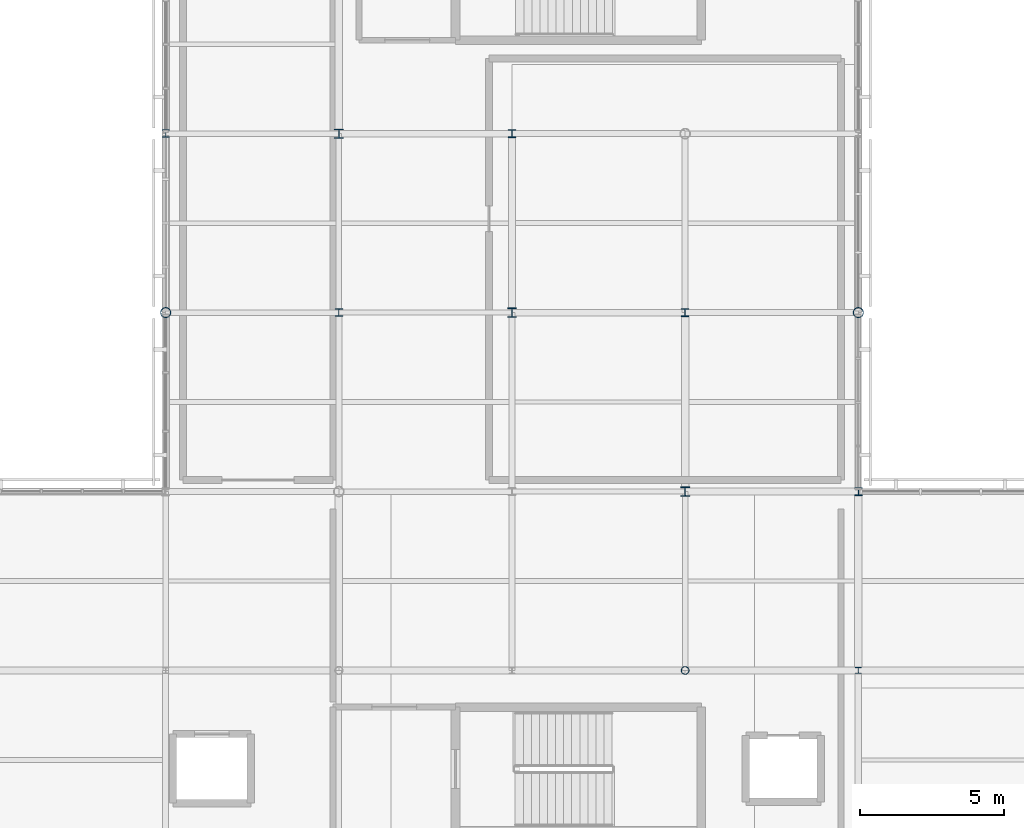
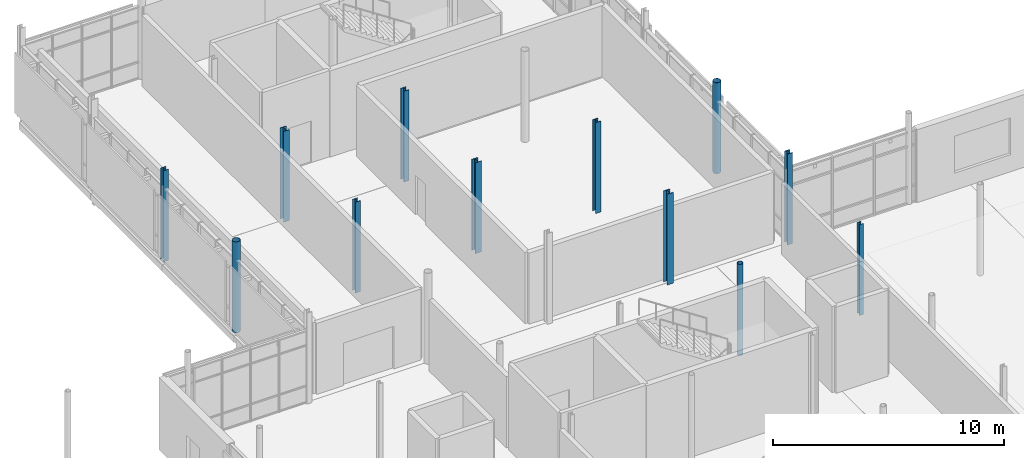
# One storey, part 13 of 66: 12 columns.
"""IFC4 building model written with IfcOpenShell, lengths in metres."""

from ifc_helpers import new_model, si_unit, direction, frame, origin, origin_2d, place, context, subcontext, project, spatial, hollow_circle, i_section, extrude, material, material_profile, profile_set, type_object, element, save


model = new_model("IFC4")

# Units and contexts
model_context = context("Model", 3, precision=1e-05, world=origin(), true_north=direction((0.0, 1.0)))
body_context = subcontext(model_context, "Body", "Model", "MODEL_VIEW")
ifc_project = project(units=[si_unit("LENGTHUNIT", "METRE"), si_unit("AREAUNIT", "SQUARE_METRE"), si_unit("VOLUMEUNIT", "CUBIC_METRE"), si_unit("PLANEANGLEUNIT", "RADIAN"), si_unit("MASSUNIT", "GRAM", prefix="KILO")], contexts=[model_context])

# Site, building, storey
site_placement = place(None, origin())
site = spatial("IfcSite", under=ifc_project, at=site_placement, CompositionType="ELEMENT")
building_placement = place(site_placement, origin())
building = spatial("IfcBuilding", under=site, at=building_placement, Name="Mirzam Square Science Centre", CompositionType="ELEMENT")
storey_placement = place(building_placement, frame((0.0, 0.0, 15.60009765625)))
storey = spatial("IfcBuildingStorey", under=building, at=storey_placement, Name="L03", CompositionType="ELEMENT", Elevation=15.60009765625)

# Columns
ifc_material = material(Name="Steel S355", Category="steel")
ifc_material_profile_1 = material_profile(ifc_material, hollow_circle(Radius=0.136474609375, WallThickness=0.010009765625, at=origin_2d()), Name="273.0x10.0CHS")
ifc_profile_set_1 = profile_set([ifc_material_profile_1], Name="Steel S355")
column_type_1 = type_object("IfcColumnType", Name="COL-CHS273", PredefinedType="COLUMN", material=ifc_profile_set_1)
column_1_placement = place(storey_placement, frame((132.0, 80.60009765625, 0.0), z_axis=(0.0, 0.0, 1.0), x_axis=(1.0, 0.0, 0.0)))
element("IfcColumn", 1, at=column_1_placement, inside=storey, type_object=column_type_1, Name="L03 column G23-14", PredefinedType="COLUMN", context=body_context, shape_type="SweptSolid", body=[
    extrude(hollow_circle(Radius=0.136474609375, WallThickness=0.010009765625, at=origin_2d()), origin(), (0.0, 0.0, 1.0), 4.7998046875),
])
ifc_material_profile_2 = material_profile(ifc_material, hollow_circle(Radius=0.177734375, WallThickness=0.012451171875, at=origin_2d()), Name="355.6x12.5CHS")
ifc_profile_set_2 = profile_set([ifc_material_profile_2], Name="Steel S355")
column_type_2 = type_object("IfcColumnType", Name="COL-CHS355", PredefinedType="COLUMN", material=ifc_profile_set_2)
for number, where, z_axis, x_axis, name in (
    (2, (114.0, 93.0, 0.0), (0.0, 0.0, 1.0), (1.0, 0.0, 0.0), "L03 column G20-16"),
    (3, (138.0, 93.0, 0.0), (0.0, 0.0, 1.0), (1.0, 0.0, 0.0), "L03 column G24-16"),
):
    element("IfcColumn", number, at=place(storey_placement, frame(where, z_axis=z_axis, x_axis=x_axis)), inside=storey, type_object=column_type_2, Name=name, PredefinedType="COLUMN", context=body_context, shape_type="SweptSolid", body=[
        extrude(hollow_circle(Radius=0.177734375, WallThickness=0.012451171875, at=origin_2d()), origin(), (0.0, 0.0, 1.0), 4.7998046875),
    ])
ifc_material_profile_3 = material_profile(ifc_material, i_section(OverallWidth=0.205810546875, OverallDepth=0.209716796875, WebThickness=0.009521484375, FlangeThickness=0.01416015625, FilletRadius=0.01025390625, at=origin_2d()), Name="203x203x60UC")
ifc_profile_set_3 = profile_set([ifc_material_profile_3], Name="Steel S355")
column_type_3 = type_object("IfcColumnType", Name="COL-UC203A", PredefinedType="COLUMN", material=ifc_profile_set_3)
column_2_placement = place(storey_placement, frame((138.0, 80.60009765625, 0.0), z_axis=(0.0, 0.0, 1.0), x_axis=(1.0, 0.0, 0.0)))
element("IfcColumn", 4, at=column_2_placement, inside=storey, type_object=column_type_3, Name="L03 column G24-14", PredefinedType="COLUMN", context=body_context, shape_type="SweptSolid", body=[
    extrude(i_section(OverallWidth=0.205810546875, OverallDepth=0.209716796875, WebThickness=0.009521484375, FlangeThickness=0.01416015625, FilletRadius=0.01025390625, at=origin_2d()), origin(), (0.0, 0.0, 1.0), 4.7998046875),
])
ifc_material_profile_4 = material_profile(ifc_material, i_section(OverallWidth=0.25634765625, OverallDepth=0.26025390625, WebThickness=0.01025390625, FlangeThickness=0.017333984375, FilletRadius=0.0126953125, at=origin_2d()), Name="254x254x89UC")
ifc_profile_set_4 = profile_set([ifc_material_profile_4], Name="Steel S355")
column_type_4 = type_object("IfcColumnType", Name="COL-UC254A", PredefinedType="COLUMN", material=ifc_profile_set_4)
for number, where, z_axis, x_axis, name in (
    (5, (114.0, 99.199951171875, 0.0), (0.0, 0.0, 1.0), (1.0, 0.0, 0.0), "L03 column G20-17"),
    (6, (120.0, 93.0, 0.0), (0.0, 0.0, 1.0), (1.0, 0.0, 0.0), "L03 column G21-16"),
):
    element("IfcColumn", number, at=place(storey_placement, frame(where, z_axis=z_axis, x_axis=x_axis)), inside=storey, type_object=column_type_4, Name=name, PredefinedType="COLUMN", context=body_context, shape_type="SweptSolid", body=[
        extrude(i_section(OverallWidth=0.25634765625, OverallDepth=0.26025390625, WebThickness=0.01025390625, FlangeThickness=0.017333984375, FilletRadius=0.0126953125, at=origin_2d()), origin(), (0.0, 0.0, 1.0), 4.7998046875),
    ])
ifc_material_profile_5 = material_profile(ifc_material, i_section(OverallWidth=0.26123046875, OverallDepth=0.2763671875, WebThickness=0.015380859375, FlangeThickness=0.025390625, FilletRadius=0.0126953125, at=origin_2d()), Name="254x254x132UC")
ifc_profile_set_5 = profile_set([ifc_material_profile_5], Name="Steel S355")
column_type_5 = type_object("IfcColumnType", Name="COL-UC254B", PredefinedType="COLUMN", material=ifc_profile_set_5)
for number, where, z_axis, x_axis, name in (
    (7, (126.0, 99.199951171875, 0.0), (0.0, 0.0, 1.0), (1.0, 0.0, 0.0), "L03 column G22-17"),
    (8, (132.0, 93.0, 0.0), (0.0, 0.0, 1.0), (1.0, 0.0, 0.0), "L03 column G23-16"),
    (9, (138.0, 86.800048828125, 0.0), (0.0, 0.0, 1.0), (1.0, 0.0, 0.0), "L03 column G24-15"),
):
    element("IfcColumn", number, at=place(storey_placement, frame(where, z_axis=z_axis, x_axis=x_axis)), inside=storey, type_object=column_type_5, Name=name, PredefinedType="COLUMN", context=body_context, shape_type="SweptSolid", body=[
        extrude(i_section(OverallWidth=0.26123046875, OverallDepth=0.2763671875, WebThickness=0.015380859375, FlangeThickness=0.025390625, FilletRadius=0.0126953125, at=origin_2d()), origin(), (0.0, 0.0, 1.0), 4.7998046875),
    ])
ifc_material_profile_6 = material_profile(ifc_material, i_section(OverallWidth=0.30908203125, OverallDepth=0.320556640625, WebThickness=0.013916015625, FlangeThickness=0.021728515625, FilletRadius=0.01513671875, at=origin_2d()), Name="305x305x137UC")
ifc_profile_set_6 = profile_set([ifc_material_profile_6], Name="Steel S355")
column_type_6 = type_object("IfcColumnType", Name="COL-UC305A", PredefinedType="COLUMN", material=ifc_profile_set_6)
for number, where, z_axis, x_axis, name in (
    (10, (120.0, 99.199951171875, 0.0), (0.0, 0.0, 1.0), (1.0, 0.0, 0.0), "L03 column G21-17"),
    (11, (126.0, 93.0, 0.0), (0.0, 0.0, 1.0), (1.0, 0.0, 0.0), "L03 column G22-16"),
    (12, (132.0, 86.800048828125, 0.0), (0.0, 0.0, 1.0), (1.0, 0.0, 0.0), "L03 column G23-15"),
):
    element("IfcColumn", number, at=place(storey_placement, frame(where, z_axis=z_axis, x_axis=x_axis)), inside=storey, type_object=column_type_6, Name=name, PredefinedType="COLUMN", context=body_context, shape_type="SweptSolid", body=[
        extrude(i_section(OverallWidth=0.30908203125, OverallDepth=0.320556640625, WebThickness=0.013916015625, FlangeThickness=0.021728515625, FilletRadius=0.01513671875, at=origin_2d()), origin(), (0.0, 0.0, 1.0), 4.7998046875),
    ])

save(model, "model.ifc")
